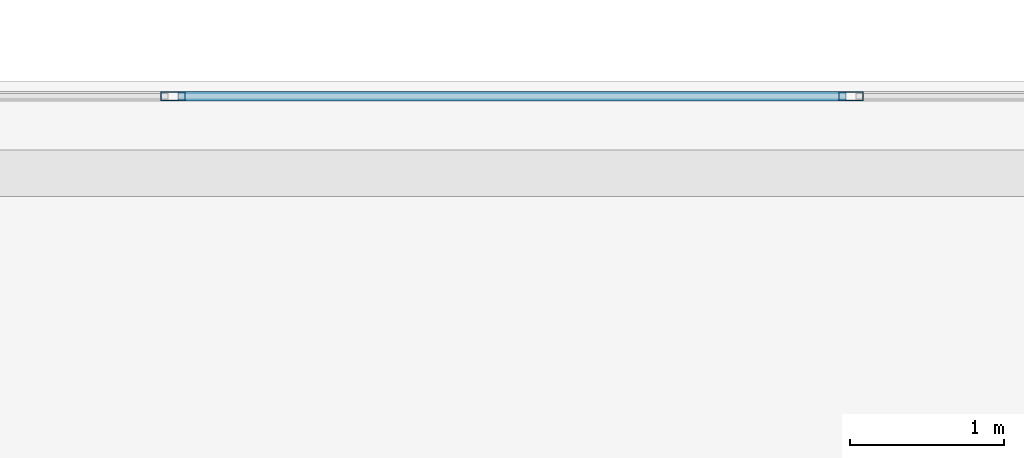
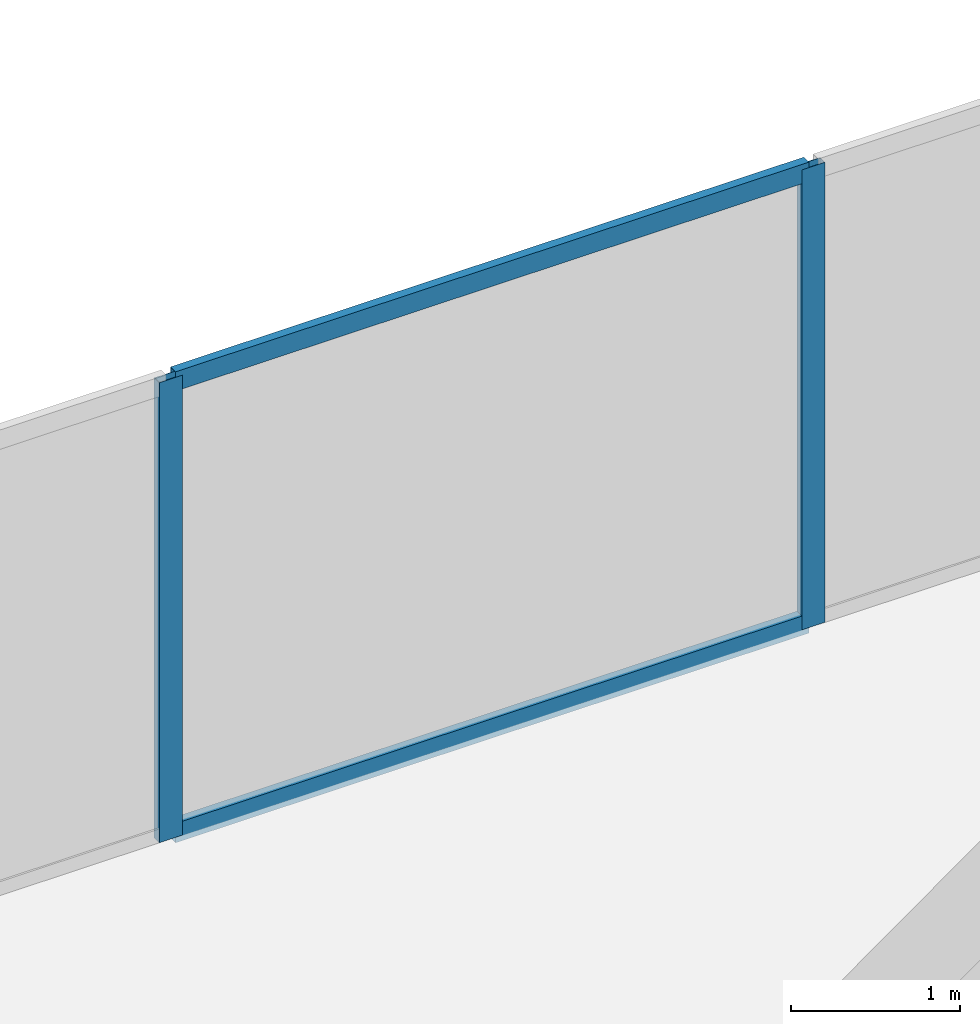
# One storey, part 22 of 33: 4 members, 1 element without a shape of its own.
"""IFC4 building model written with IfcOpenShell, lengths in metres."""

from ifc_helpers import new_model, si_unit, direction, frame, origin, origin_2d, place, context, subcontext, project, spatial, hollow_rectangle, extrude, material, layer, layer_set, material_profile, profile_set, type_object, element, aggregate, save


model = new_model("IFC4")

# Units and contexts
model_context = context("Model", 3, precision=1e-05, world=origin(), true_north=direction((0.0, 1.0)))
body_context = subcontext(model_context, "Body", "Model", "MODEL_VIEW")
ifc_project = project(units=[si_unit("LENGTHUNIT", "METRE"), si_unit("AREAUNIT", "SQUARE_METRE"), si_unit("VOLUMEUNIT", "CUBIC_METRE"), si_unit("PLANEANGLEUNIT", "RADIAN"), si_unit("MASSUNIT", "GRAM", prefix="KILO")], contexts=[model_context])

# Site, building, storey
site_placement = place(None, origin())
site = spatial("IfcSite", under=ifc_project, at=site_placement, CompositionType="ELEMENT")
building_placement = place(site_placement, origin())
building = spatial("IfcBuilding", under=site, at=building_placement, Name="Catumbela Crestline Tower", CompositionType="ELEMENT")
storey_placement = place(building_placement, frame((0.0, 0.0, 100.8)))
storey = spatial("IfcBuildingStorey", under=building, at=storey_placement, Name="L25", CompositionType="ELEMENT", Elevation=100.8)

# Curtain wall, members
ifc_material = material(Name="Aluminium alloy AW-6060-T66", Category="aluminium")
ifc_layer = layer(ifc_material, 0.18, Name="Aluminium alloy AW-6060-T66")
ifc_layer_set = layer_set([ifc_layer], Name="Aluminium alloy AW-6060-T66")
curtain_wall_type = type_object("IfcCurtainWallType", Name="CWU-Z2", PredefinedType="USERDEFINED", material=ifc_layer_set)
curtain_wall_placement = place(storey_placement, origin())
curtain_wall = element("IfcCurtainWall", 1, at=curtain_wall_placement, inside=storey, type_object=curtain_wall_type, Name="L25 Unitised Curtain Wall CW-L25-E7S1", ObjectType="UNITISED", PredefinedType="USERDEFINED")
ifc_material_profile_1 = material_profile(ifc_material, hollow_rectangle(XDim=0.06, YDim=0.16, WallThickness=0.004, at=origin_2d()), Name="ALU 160x60x4")
ifc_profile_set_1 = profile_set([ifc_material_profile_1], Name="Aluminium alloy AW-6060-T66")
member_type_1 = type_object("IfcMemberType", Name="MUL-160X60", PredefinedType="MULLION", material=ifc_profile_set_1)
member_1_placement = place(storey_placement, frame((29.9, 47.9, 0.0), z_axis=(0.0, 0.0, 1.0), x_axis=(0.0, -1.0, 0.0)))
member_1 = element("IfcMember", 2, at=member_1_placement, type_object=member_type_1, Name="CWU-Z2 mullion 5", PredefinedType="MULLION", context=body_context, shape_type="SweptSolid", body=[
    extrude(hollow_rectangle(XDim=0.06, YDim=0.16, WallThickness=0.004, at=origin_2d()), origin(), (0.0, 0.0, 1.0), 3.33),
])
member_2_placement = place(storey_placement, frame((25.5, 47.9, 0.0), z_axis=(0.0, 0.0, 1.0), x_axis=(0.0, -1.0, 0.0)))
member_2 = element("IfcMember", 3, at=member_2_placement, type_object=member_type_1, Name="CWU-Z2 mullion 6", PredefinedType="MULLION", context=body_context, shape_type="SweptSolid", body=[
    extrude(hollow_rectangle(XDim=0.06, YDim=0.16, WallThickness=0.004, at=origin_2d()), origin(), (0.0, 0.0, 1.0), 3.33),
])
ifc_material_profile_2 = material_profile(ifc_material, hollow_rectangle(XDim=0.06, YDim=0.14, WallThickness=0.004, at=origin_2d()), Name="ALU 140x60x4")
ifc_profile_set_2 = profile_set([ifc_material_profile_2], Name="Aluminium alloy AW-6060-T66")
member_type_2 = type_object("IfcMemberType", Name="TRN-140X60", PredefinedType="USERDEFINED", material=ifc_profile_set_2)
member_3_placement = place(storey_placement, frame((29.8675, 47.9, 0.03), z_axis=(-1.0, 0.0, 0.0), x_axis=(0.0, -1.0, 0.0)))
member_3 = element("IfcMember", 4, at=member_3_placement, type_object=member_type_2, Name="CWU-Z2 transom 5.1", ObjectType="TRANSOM", PredefinedType="USERDEFINED", context=body_context, shape_type="SweptSolid", body=[
    extrude(hollow_rectangle(XDim=0.06, YDim=0.14, WallThickness=0.004, at=origin_2d()), origin(), (0.0, 0.0, 1.0), 4.335),
])
member_4_placement = place(storey_placement, frame((29.8675, 47.9, 3.3), z_axis=(-1.0, 0.0, 0.0), x_axis=(0.0, -1.0, 0.0)))
member_4 = element("IfcMember", 5, at=member_4_placement, type_object=member_type_2, Name="CWU-Z2 transom 5.2", ObjectType="TRANSOM", PredefinedType="USERDEFINED", context=body_context, shape_type="SweptSolid", body=[
    extrude(hollow_rectangle(XDim=0.06, YDim=0.14, WallThickness=0.004, at=origin_2d()), origin(), (0.0, 0.0, 1.0), 4.335),
])
aggregate(curtain_wall, [member_1, member_2, member_3, member_4])

save(model, "model.ifc")
